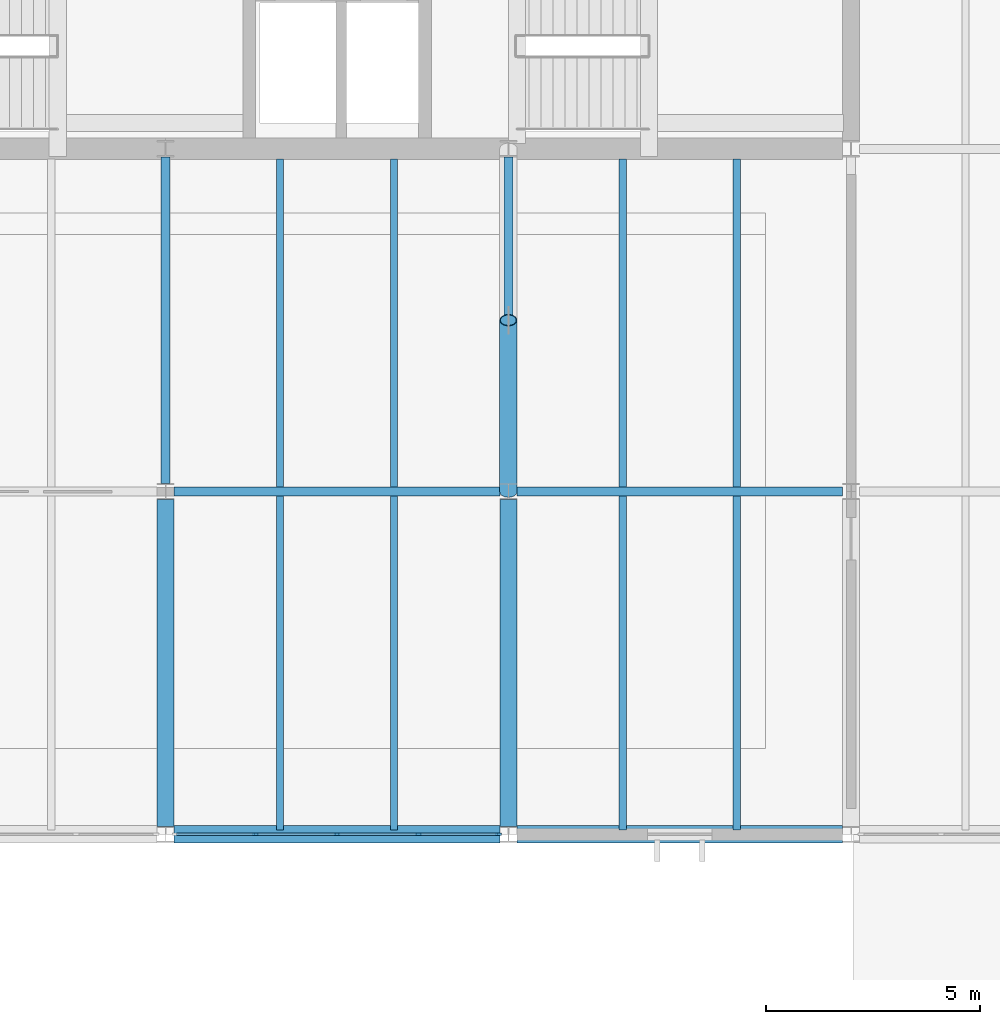
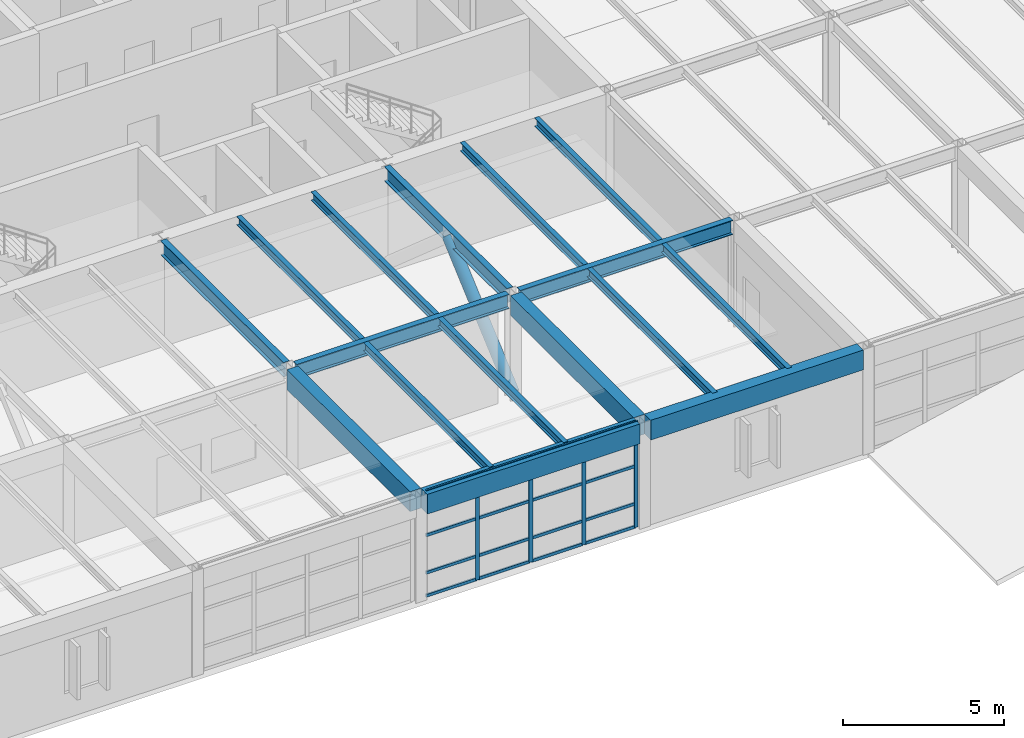
# One storey, part 8 of 48: 21 members, 16 beams, 1 element without a shape of its own.
"""IFC4 building model written with IfcOpenShell, lengths in metres."""

from ifc_helpers import new_model, si_unit, direction, frame, origin, origin_2d, place, context, subcontext, project, spatial, rectangle, hollow_circle, i_section, extrude, material, layer, layer_set, material_profile, profile_set, type_object, element, aggregate, save


model = new_model("IFC4")

# Units and contexts
model_context = context("Model", 3, precision=1e-05, world=origin(), true_north=direction((0.0, 1.0)))
body_context = subcontext(model_context, "Body", "Model", "MODEL_VIEW")
ifc_project = project(units=[si_unit("LENGTHUNIT", "METRE"), si_unit("AREAUNIT", "SQUARE_METRE"), si_unit("VOLUMEUNIT", "CUBIC_METRE"), si_unit("PLANEANGLEUNIT", "RADIAN"), si_unit("MASSUNIT", "GRAM", prefix="KILO")], contexts=[model_context])

# Site, building, storey
site_placement = place(None, origin())
site = spatial("IfcSite", under=ifc_project, at=site_placement, CompositionType="ELEMENT")
building_placement = place(site_placement, origin())
building = spatial("IfcBuilding", under=site, at=building_placement, Name="Varnela Railside Interchange", CompositionType="ELEMENT")
storey_placement = place(building_placement, frame((0.0, 0.0, 11.199951171875)))
storey = spatial("IfcBuildingStorey", under=building, at=storey_placement, Name="L02", CompositionType="ELEMENT", Elevation=11.199951171875)

# Beams
ifc_material_1 = material(Name="Steel AR 350 (350 MPa)", Category="steel")
ifc_material_profile_1 = material_profile(ifc_material_1, i_section(OverallWidth=0.2109375, OverallDepth=0.5390625, WebThickness=0.01171875, FlangeThickness=0.018798828125, at=origin_2d()), Name="W530x109")
ifc_profile_set_1 = profile_set([ifc_material_profile_1], Name="Steel AR 350 (350 MPa)")
beam_type_1 = type_object("IfcBeamType", Name="Composite Girder B-17", PredefinedType="BEAM", material=ifc_profile_set_1)
for number, where, z_axis, x_axis, name in (
    (1, (20.0, 46.1875, 3.73046875), (0.0, 1.0, 0.0), (-1.0, 0.0, 0.0), "Composite Girder B-17 (L02) (BM-2069)"),
    (2, (28.0, 46.1875, 3.73046875), (0.0, 1.0, 0.0), (-1.0, 0.0, 0.0), "Composite Girder B-17 (L02) (BM-2074)"),
):
    element("IfcBeam", number, at=place(storey_placement, frame(where, z_axis=z_axis, x_axis=x_axis)), inside=storey, type_object=beam_type_1, Name=name, PredefinedType="BEAM", context=body_context, shape_type="SweptSolid", body=[
        extrude(i_section(OverallWidth=0.2109375, OverallDepth=0.5390625, WebThickness=0.01171875, FlangeThickness=0.018798828125, at=origin_2d()), origin(), (0.0, 0.0, 1.0), 7.618896484375),
    ])
ifc_material_profile_2 = material_profile(ifc_material_1, i_section(OverallWidth=0.2119140625, OverallDepth=0.5439453125, WebThickness=0.01318359375, FlangeThickness=0.021240234375, at=origin_2d()), Name="W530x123")
ifc_profile_set_2 = profile_set([ifc_material_profile_2], Name="Steel AR 350 (350 MPa)")
beam_type_2 = type_object("IfcBeamType", Name="Composite Heavy Girder B-16", PredefinedType="BEAM", material=ifc_profile_set_2)
for number, where, z_axis, x_axis, name in (
    (3, (20.197021484375, 46.0, 3.72802734375), (1.0, 0.0, 0.0), (0.0, 1.0, 0.0), "Composite Heavy Girder B-16 (L02) (BM-1959)"),
    (4, (28.197021484375, 46.0, 3.72802734375), (1.0, 0.0, 0.0), (0.0, 1.0, 0.0), "Composite Heavy Girder B-16 (L02) (BM-1960)"),
):
    element("IfcBeam", number, at=place(storey_placement, frame(where, z_axis=z_axis, x_axis=x_axis)), inside=storey, type_object=beam_type_2, Name=name, PredefinedType="BEAM", context=body_context, shape_type="SweptSolid", body=[
        extrude(i_section(OverallWidth=0.2119140625, OverallDepth=0.5439453125, WebThickness=0.01318359375, FlangeThickness=0.021240234375, at=origin_2d()), origin(), (0.0, 0.0, 1.0), 7.60595703125),
    ])
ifc_material_profile_3 = material_profile(ifc_material_1, i_section(OverallWidth=0.1669921875, OverallDepth=0.31689453125, WebThickness=0.007568359375, FlangeThickness=0.01318359375, at=origin_2d()), Name="W310x52")
ifc_profile_set_3 = profile_set([ifc_material_profile_3], Name="Steel AR 350 (350 MPa)")
beam_type_3 = type_object("IfcBeamType", Name="Composite Long-Span Joist J-03", PredefinedType="JOIST", material=ifc_profile_set_3)
for number, where, z_axis, x_axis, name in (
    (5, (22.669921875, 38.10595703125, 3.841552734375), (0.0, 1.0, 0.0), (-1.0, 0.0, 0.0), "Composite Long-Span Joist J-03 (L02) (BM-1888)"),
    (6, (25.330078125, 38.10595703125, 3.841552734375), (0.0, 1.0, 0.0), (-1.0, 0.0, 0.0), "Composite Long-Span Joist J-03 (L02) (BM-1889)"),
):
    element("IfcBeam", number, at=place(storey_placement, frame(where, z_axis=z_axis, x_axis=x_axis)), inside=storey, type_object=beam_type_3, Name=name, PredefinedType="JOIST", context=body_context, shape_type="SweptSolid", body=[
        extrude(i_section(OverallWidth=0.1669921875, OverallDepth=0.31689453125, WebThickness=0.007568359375, FlangeThickness=0.01318359375, at=origin_2d()), origin(), (0.0, 0.0, 1.0), 7.7880859375),
    ])
for number, where, z_axis, x_axis, name in (
    (7, (22.669921875, 46.10595703125, 3.841552734375), (0.0, 1.0, 0.0), (-1.0, 0.0, 0.0), "Composite Long-Span Joist J-03 (L02) (BM-1890)"),
    (8, (25.330078125, 46.10595703125, 3.841552734375), (0.0, 1.0, 0.0), (-1.0, 0.0, 0.0), "Composite Long-Span Joist J-03 (L02) (BM-1891)"),
):
    element("IfcBeam", number, at=place(storey_placement, frame(where, z_axis=z_axis, x_axis=x_axis)), inside=storey, type_object=beam_type_3, Name=name, PredefinedType="JOIST", context=body_context, shape_type="SweptSolid", body=[
        extrude(i_section(OverallWidth=0.1669921875, OverallDepth=0.31689453125, WebThickness=0.007568359375, FlangeThickness=0.01318359375, at=origin_2d()), origin(), (0.0, 0.0, 1.0), 7.654052734375),
    ])
for number, where, z_axis, x_axis, name in (
    (9, (30.669921875, 38.10595703125, 3.841552734375), (0.0, 1.0, 0.0), (-1.0, 0.0, 0.0), "Composite Long-Span Joist J-03 (L02) (BM-1898)"),
    (10, (33.330078125, 38.10595703125, 3.841552734375), (0.0, 1.0, 0.0), (-1.0, 0.0, 0.0), "Composite Long-Span Joist J-03 (L02) (BM-1899)"),
):
    element("IfcBeam", number, at=place(storey_placement, frame(where, z_axis=z_axis, x_axis=x_axis)), inside=storey, type_object=beam_type_3, Name=name, PredefinedType="JOIST", context=body_context, shape_type="SweptSolid", body=[
        extrude(i_section(OverallWidth=0.1669921875, OverallDepth=0.31689453125, WebThickness=0.007568359375, FlangeThickness=0.01318359375, at=origin_2d()), origin(), (0.0, 0.0, 1.0), 7.7880859375),
    ])
for number, where, z_axis, x_axis, name in (
    (11, (30.669921875, 46.10595703125, 3.841552734375), (0.0, 1.0, 0.0), (-1.0, 0.0, 0.0), "Composite Long-Span Joist J-03 (L02) (BM-1900)"),
    (12, (33.330078125, 46.10595703125, 3.841552734375), (0.0, 1.0, 0.0), (-1.0, 0.0, 0.0), "Composite Long-Span Joist J-03 (L02) (BM-1901)"),
):
    element("IfcBeam", number, at=place(storey_placement, frame(where, z_axis=z_axis, x_axis=x_axis)), inside=storey, type_object=beam_type_3, Name=name, PredefinedType="JOIST", context=body_context, shape_type="SweptSolid", body=[
        extrude(i_section(OverallWidth=0.1669921875, OverallDepth=0.31689453125, WebThickness=0.007568359375, FlangeThickness=0.01318359375, at=origin_2d()), origin(), (0.0, 0.0, 1.0), 7.654052734375),
    ])

# Curtain wall, members
ifc_material_2 = material(Name="Aluminium 6063-T6", Category="aluminium")
ifc_layer = layer(ifc_material_2, 0.035888671875)
ifc_layer_set = layer_set([ifc_layer], Name="Aluminium 6063-T6")
curtain_wall_type = type_object("IfcCurtainWallType", Name="Operations Wing Facade Curtain Wall CW-03", PredefinedType="USERDEFINED", material=ifc_layer_set)
curtain_wall_placement = place(storey_placement, origin())
curtain_wall = element("IfcCurtainWall", 13, at=curtain_wall_placement, inside=storey, type_object=curtain_wall_type, Name="Curtain Wall CW-03 (L02) (CW-070)", ObjectType="CURTAIN WALL", PredefinedType="USERDEFINED")
ifc_material_profile_4 = material_profile(ifc_material_2, rectangle(XDim=0.06005859375, YDim=0.139892578125, at=origin_2d()), Name="ALU 60x140")
ifc_profile_set_4 = profile_set([ifc_material_profile_4], Name="Aluminium 6063-T6")
member_type_1 = type_object("IfcMemberType", Name="Curtain Wall Mullion ML-01", PredefinedType="MULLION", material=ifc_profile_set_4)
member_1_placement = place(storey_placement, frame((27.77294921875, 38.0, 0.0), z_axis=(0.0, 0.0, 1.0), x_axis=(0.0, -1.0, 0.0)))
member_1 = element("IfcMember", 14, at=member_1_placement, type_object=member_type_1, Name="CW-03 mullion 1", PredefinedType="MULLION", context=body_context, shape_type="SweptSolid", body=[
    extrude(rectangle(XDim=0.06005859375, YDim=0.139892578125, at=origin_2d()), origin(), (0.0, 0.0, 1.0), 4.0),
])
member_2_placement = place(storey_placement, frame((25.901611328125, 38.0, 0.0), z_axis=(0.0, 0.0, 1.0), x_axis=(0.0, -1.0, 0.0)))
member_2 = element("IfcMember", 15, at=member_2_placement, type_object=member_type_1, Name="CW-03 mullion 2", PredefinedType="MULLION", context=body_context, shape_type="SweptSolid", body=[
    extrude(rectangle(XDim=0.06005859375, YDim=0.139892578125, at=origin_2d()), origin(), (0.0, 0.0, 1.0), 4.0),
])
member_3_placement = place(storey_placement, frame((24.0, 38.0, 0.0), z_axis=(0.0, 0.0, 1.0), x_axis=(0.0, -1.0, 0.0)))
member_3 = element("IfcMember", 16, at=member_3_placement, type_object=member_type_1, Name="CW-03 mullion 3", PredefinedType="MULLION", context=body_context, shape_type="SweptSolid", body=[
    extrude(rectangle(XDim=0.06005859375, YDim=0.139892578125, at=origin_2d()), origin(), (0.0, 0.0, 1.0), 4.0),
])
member_4_placement = place(storey_placement, frame((22.098388671875, 38.0, 0.0), z_axis=(0.0, 0.0, 1.0), x_axis=(0.0, -1.0, 0.0)))
member_4 = element("IfcMember", 17, at=member_4_placement, type_object=member_type_1, Name="CW-03 mullion 4", PredefinedType="MULLION", context=body_context, shape_type="SweptSolid", body=[
    extrude(rectangle(XDim=0.06005859375, YDim=0.139892578125, at=origin_2d()), origin(), (0.0, 0.0, 1.0), 4.0),
])
ifc_material_profile_5 = material_profile(ifc_material_2, rectangle(XDim=0.06005859375, YDim=0.110107421875, at=origin_2d()), Name="ALU 60x110")
ifc_profile_set_5 = profile_set([ifc_material_profile_5], Name="Aluminium 6063-T6")
member_type_2 = type_object("IfcMemberType", Name="Curtain Wall Transom TR-01", PredefinedType="USERDEFINED", material=ifc_profile_set_5)
member_5_placement = place(storey_placement, frame((27.742919921875, 38.0, 0.030029296875), z_axis=(-1.0, 0.0, 0.0), x_axis=(0.0, -1.0, 0.0)))
member_5 = element("IfcMember", 18, at=member_5_placement, type_object=member_type_2, Name="CW-03 transom 1.1", ObjectType="TRANSOM", PredefinedType="USERDEFINED", context=body_context, shape_type="SweptSolid", body=[
    extrude(rectangle(XDim=0.06005859375, YDim=0.110107421875, at=origin_2d()), origin(), (0.0, 0.0, 1.0), 1.8115234375),
])
member_6_placement = place(storey_placement, frame((27.742919921875, 38.0, 0.900146484375), z_axis=(-1.0, 0.0, 0.0), x_axis=(0.0, -1.0, 0.0)))
member_6 = element("IfcMember", 19, at=member_6_placement, type_object=member_type_2, Name="CW-03 transom 1.2", ObjectType="TRANSOM", PredefinedType="USERDEFINED", context=body_context, shape_type="SweptSolid", body=[
    extrude(rectangle(XDim=0.06005859375, YDim=0.110107421875, at=origin_2d()), origin(), (0.0, 0.0, 1.0), 1.8115234375),
])
member_7_placement = place(storey_placement, frame((27.742919921875, 38.0, 2.320068359375), z_axis=(-1.0, 0.0, 0.0), x_axis=(0.0, -1.0, 0.0)))
member_7 = element("IfcMember", 20, at=member_7_placement, type_object=member_type_2, Name="CW-03 transom 1.3", ObjectType="TRANSOM", PredefinedType="USERDEFINED", context=body_context, shape_type="SweptSolid", body=[
    extrude(rectangle(XDim=0.06005859375, YDim=0.110107421875, at=origin_2d()), origin(), (0.0, 0.0, 1.0), 1.8115234375),
])
member_8_placement = place(storey_placement, frame((27.742919921875, 38.0, 3.969970703125), z_axis=(-1.0, 0.0, 0.0), x_axis=(0.0, -1.0, 0.0)))
member_8 = element("IfcMember", 21, at=member_8_placement, type_object=member_type_2, Name="CW-03 transom 1.4", ObjectType="TRANSOM", PredefinedType="USERDEFINED", context=body_context, shape_type="SweptSolid", body=[
    extrude(rectangle(XDim=0.06005859375, YDim=0.110107421875, at=origin_2d()), origin(), (0.0, 0.0, 1.0), 1.8115234375),
])
member_9_placement = place(storey_placement, frame((25.87158203125, 38.0, 0.030029296875), z_axis=(-1.0, 0.0, 0.0), x_axis=(0.0, -1.0, 0.0)))
member_9 = element("IfcMember", 22, at=member_9_placement, type_object=member_type_2, Name="CW-03 transom 2.1", ObjectType="TRANSOM", PredefinedType="USERDEFINED", context=body_context, shape_type="SweptSolid", body=[
    extrude(rectangle(XDim=0.06005859375, YDim=0.110107421875, at=origin_2d()), origin(), (0.0, 0.0, 1.0), 1.841552734375),
])
member_10_placement = place(storey_placement, frame((25.87158203125, 38.0, 0.900146484375), z_axis=(-1.0, 0.0, 0.0), x_axis=(0.0, -1.0, 0.0)))
member_10 = element("IfcMember", 23, at=member_10_placement, type_object=member_type_2, Name="CW-03 transom 2.2", ObjectType="TRANSOM", PredefinedType="USERDEFINED", context=body_context, shape_type="SweptSolid", body=[
    extrude(rectangle(XDim=0.06005859375, YDim=0.110107421875, at=origin_2d()), origin(), (0.0, 0.0, 1.0), 1.841552734375),
])
member_11_placement = place(storey_placement, frame((25.87158203125, 38.0, 2.320068359375), z_axis=(-1.0, 0.0, 0.0), x_axis=(0.0, -1.0, 0.0)))
member_11 = element("IfcMember", 24, at=member_11_placement, type_object=member_type_2, Name="CW-03 transom 2.3", ObjectType="TRANSOM", PredefinedType="USERDEFINED", context=body_context, shape_type="SweptSolid", body=[
    extrude(rectangle(XDim=0.06005859375, YDim=0.110107421875, at=origin_2d()), origin(), (0.0, 0.0, 1.0), 1.841552734375),
])
member_12_placement = place(storey_placement, frame((25.87158203125, 38.0, 3.969970703125), z_axis=(-1.0, 0.0, 0.0), x_axis=(0.0, -1.0, 0.0)))
member_12 = element("IfcMember", 25, at=member_12_placement, type_object=member_type_2, Name="CW-03 transom 2.4", ObjectType="TRANSOM", PredefinedType="USERDEFINED", context=body_context, shape_type="SweptSolid", body=[
    extrude(rectangle(XDim=0.06005859375, YDim=0.110107421875, at=origin_2d()), origin(), (0.0, 0.0, 1.0), 1.841552734375),
])
member_13_placement = place(storey_placement, frame((23.969970703125, 38.0, 0.030029296875), z_axis=(-1.0, 0.0, 0.0), x_axis=(0.0, -1.0, 0.0)))
member_13 = element("IfcMember", 26, at=member_13_placement, type_object=member_type_2, Name="CW-03 transom 3.1", ObjectType="TRANSOM", PredefinedType="USERDEFINED", context=body_context, shape_type="SweptSolid", body=[
    extrude(rectangle(XDim=0.06005859375, YDim=0.110107421875, at=origin_2d()), origin(), (0.0, 0.0, 1.0), 1.841552734375),
])
member_14_placement = place(storey_placement, frame((23.969970703125, 38.0, 0.900146484375), z_axis=(-1.0, 0.0, 0.0), x_axis=(0.0, -1.0, 0.0)))
member_14 = element("IfcMember", 27, at=member_14_placement, type_object=member_type_2, Name="CW-03 transom 3.2", ObjectType="TRANSOM", PredefinedType="USERDEFINED", context=body_context, shape_type="SweptSolid", body=[
    extrude(rectangle(XDim=0.06005859375, YDim=0.110107421875, at=origin_2d()), origin(), (0.0, 0.0, 1.0), 1.841552734375),
])
member_15_placement = place(storey_placement, frame((23.969970703125, 38.0, 2.320068359375), z_axis=(-1.0, 0.0, 0.0), x_axis=(0.0, -1.0, 0.0)))
member_15 = element("IfcMember", 28, at=member_15_placement, type_object=member_type_2, Name="CW-03 transom 3.3", ObjectType="TRANSOM", PredefinedType="USERDEFINED", context=body_context, shape_type="SweptSolid", body=[
    extrude(rectangle(XDim=0.06005859375, YDim=0.110107421875, at=origin_2d()), origin(), (0.0, 0.0, 1.0), 1.841552734375),
])
member_16_placement = place(storey_placement, frame((23.969970703125, 38.0, 3.969970703125), z_axis=(-1.0, 0.0, 0.0), x_axis=(0.0, -1.0, 0.0)))
member_16 = element("IfcMember", 29, at=member_16_placement, type_object=member_type_2, Name="CW-03 transom 3.4", ObjectType="TRANSOM", PredefinedType="USERDEFINED", context=body_context, shape_type="SweptSolid", body=[
    extrude(rectangle(XDim=0.06005859375, YDim=0.110107421875, at=origin_2d()), origin(), (0.0, 0.0, 1.0), 1.841552734375),
])
member_17_placement = place(storey_placement, frame((22.068603515625, 38.0, 0.030029296875), z_axis=(-1.0, 0.0, 0.0), x_axis=(0.0, -1.0, 0.0)))
member_17 = element("IfcMember", 30, at=member_17_placement, type_object=member_type_2, Name="CW-03 transom 4.1", ObjectType="TRANSOM", PredefinedType="USERDEFINED", context=body_context, shape_type="SweptSolid", body=[
    extrude(rectangle(XDim=0.06005859375, YDim=0.110107421875, at=origin_2d()), origin(), (0.0, 0.0, 1.0), 1.8115234375),
])
member_18_placement = place(storey_placement, frame((22.068603515625, 38.0, 0.900146484375), z_axis=(-1.0, 0.0, 0.0), x_axis=(0.0, -1.0, 0.0)))
member_18 = element("IfcMember", 31, at=member_18_placement, type_object=member_type_2, Name="CW-03 transom 4.2", ObjectType="TRANSOM", PredefinedType="USERDEFINED", context=body_context, shape_type="SweptSolid", body=[
    extrude(rectangle(XDim=0.06005859375, YDim=0.110107421875, at=origin_2d()), origin(), (0.0, 0.0, 1.0), 1.8115234375),
])
member_19_placement = place(storey_placement, frame((22.068603515625, 38.0, 2.320068359375), z_axis=(-1.0, 0.0, 0.0), x_axis=(0.0, -1.0, 0.0)))
member_19 = element("IfcMember", 32, at=member_19_placement, type_object=member_type_2, Name="CW-03 transom 4.3", ObjectType="TRANSOM", PredefinedType="USERDEFINED", context=body_context, shape_type="SweptSolid", body=[
    extrude(rectangle(XDim=0.06005859375, YDim=0.110107421875, at=origin_2d()), origin(), (0.0, 0.0, 1.0), 1.8115234375),
])
member_20_placement = place(storey_placement, frame((22.068603515625, 38.0, 3.969970703125), z_axis=(-1.0, 0.0, 0.0), x_axis=(0.0, -1.0, 0.0)))
member_20 = element("IfcMember", 33, at=member_20_placement, type_object=member_type_2, Name="CW-03 transom 4.4", ObjectType="TRANSOM", PredefinedType="USERDEFINED", context=body_context, shape_type="SweptSolid", body=[
    extrude(rectangle(XDim=0.06005859375, YDim=0.110107421875, at=origin_2d()), origin(), (0.0, 0.0, 1.0), 1.8115234375),
])
aggregate(curtain_wall, [member_1, member_2, member_3, member_4, member_5, member_6, member_7, member_8, member_9, member_10, member_11, member_12, member_13, member_14, member_15, member_16, member_17, member_18, member_19, member_20])

# Beams
ifc_material_3 = material(Name="Concrete C40 precast", Category="concrete")
ifc_material_profile_6 = material_profile(ifc_material_3, rectangle(XDim=0.39990234375, YDim=0.75, at=origin_2d()), Name="PC 400x750")
ifc_profile_set_6 = profile_set([ifc_material_profile_6], Name="Concrete C40 precast")
beam_type_4 = type_object("IfcBeamType", Name="Precast Facade Spandrel SP-03", PredefinedType="SPANDREL", material=ifc_profile_set_6)
for number, where, z_axis, x_axis, name in (
    (34, (20.197021484375, 38.0, 3.625), (1.0, 0.0, 0.0), (0.0, 1.0, 0.0), "Precast Facade Spandrel SP-03 (L02) (BM-1941)"),
    (35, (28.197021484375, 38.0, 3.625), (1.0, 0.0, 0.0), (0.0, 1.0, 0.0), "Precast Facade Spandrel SP-03 (L02) (BM-1942)"),
):
    element("IfcBeam", number, at=place(storey_placement, frame(where, z_axis=z_axis, x_axis=x_axis)), inside=storey, type_object=beam_type_4, Name=name, PredefinedType="SPANDREL", context=body_context, shape_type="SweptSolid", body=[
        extrude(rectangle(XDim=0.39990234375, YDim=0.75, at=origin_2d()), origin(), (0.0, 0.0, 1.0), 7.60595703125),
    ])
for number, where, z_axis, x_axis, name in (
    (36, (20.0, 38.1875, 3.625), (0.0, 1.0, 0.0), (-1.0, 0.0, 0.0), "Precast Facade Spandrel SP-03 (L02) (BM-2068)"),
    (37, (28.0, 38.1875, 3.625), (0.0, 1.0, 0.0), (-1.0, 0.0, 0.0), "Precast Facade Spandrel SP-03 (L02) (BM-2073)"),
):
    element("IfcBeam", number, at=place(storey_placement, frame(where, z_axis=z_axis, x_axis=x_axis)), inside=storey, type_object=beam_type_4, Name=name, PredefinedType="SPANDREL", context=body_context, shape_type="SweptSolid", body=[
        extrude(rectangle(XDim=0.39990234375, YDim=0.75, at=origin_2d()), origin(), (0.0, 0.0, 1.0), 7.625),
    ])

# Member
ifc_material_profile_7 = material_profile(ifc_material_1, hollow_circle(Radius=0.203125, WallThickness=0.02001953125, at=origin_2d()), Name="CHS 406.4x20")
ifc_profile_set_7 = profile_set([ifc_material_profile_7], Name="Steel AR 350 (350 MPa)")
member_type_3 = type_object("IfcMemberType", Name="Tubular Mega Brace BR-09", PredefinedType="BRACE", material=ifc_profile_set_7)
member_21_placement = place(storey_placement, frame((28.0, 46.0, 0.150146484375), z_axis=(0.0, 0.752576694707, 0.658504607869), x_axis=(-1.0, 0.0, 0.0)))
element("IfcMember", 38, at=member_21_placement, inside=storey, type_object=member_type_3, Name="Tubular Mega Brace BR-09 (L02) (MB-0085)", PredefinedType="BRACE", context=body_context, shape_type="SweptSolid", body=[
    extrude(hollow_circle(Radius=0.203125, WallThickness=0.02001953125, at=origin_2d()), origin(), (0.0, 0.0, 1.0), 5.315185546875),
])

save(model, "model.ifc")
